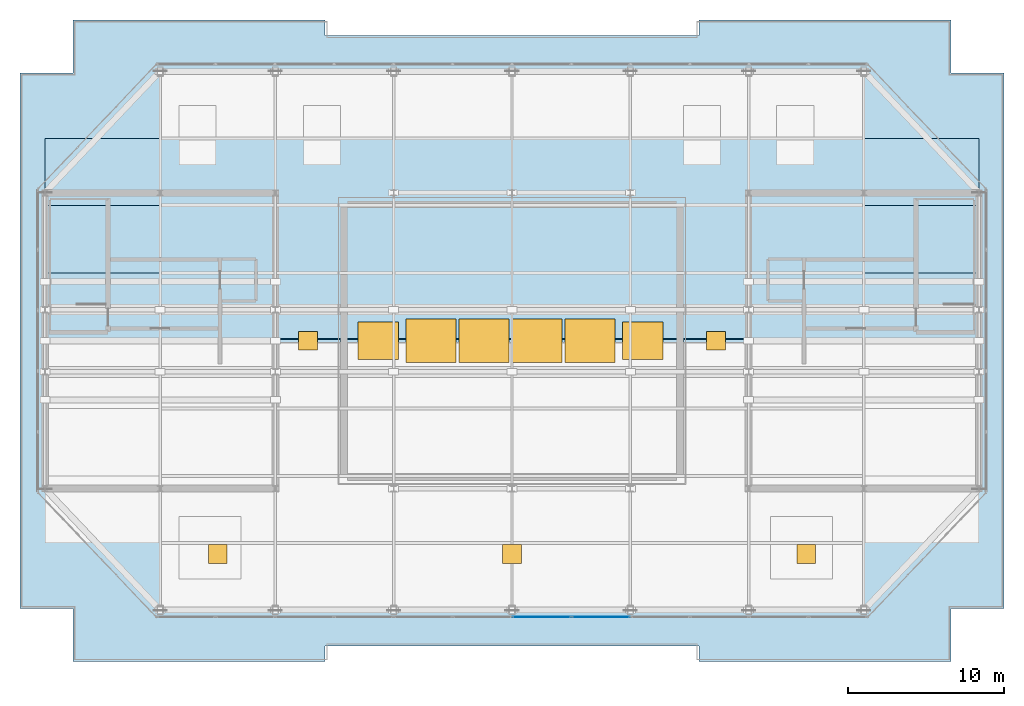
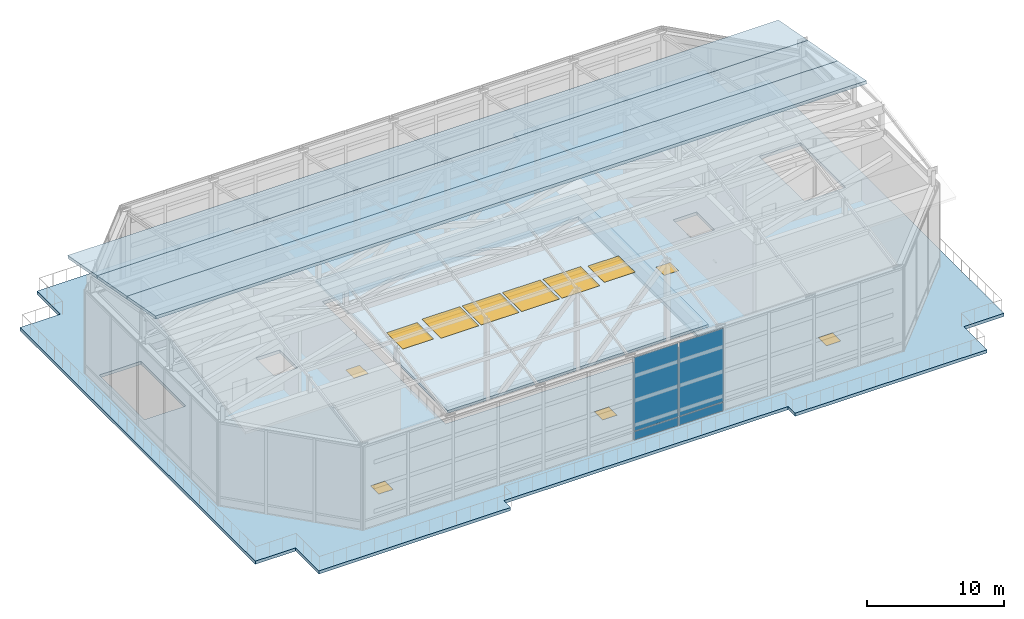
# One storey, part 21 of 25: 6 windows, 5 doors, 5 slabs, 4 plates, 11 openings, 1 element without a shape of its own.
"""IFC4 building model written with IfcOpenShell, lengths in metres."""

from ifc_helpers import new_model, si_unit, direction, frame, origin, origin_2d, place, context, subcontext, project, spatial, polyline, rectangle, outline, extrude, source, transform, mapped, material, layer, layer_set, type_object, type_shapes, element, fill, aggregate, save


model = new_model("IFC4")

# Units and contexts
model_context = context("Model", 3, precision=1e-05, world=origin(), true_north=direction((0.0, 1.0)))
body_context = subcontext(model_context, "Body", "Model", "MODEL_VIEW")
ifc_project = project(units=[si_unit("LENGTHUNIT", "METRE"), si_unit("AREAUNIT", "SQUARE_METRE"), si_unit("VOLUMEUNIT", "CUBIC_METRE"), si_unit("PLANEANGLEUNIT", "RADIAN"), si_unit("MASSUNIT", "GRAM", prefix="KILO")], contexts=[model_context])

# Site, building, storey
site_placement = place(None, origin())
site = spatial("IfcSite", under=ifc_project, at=site_placement, CompositionType="ELEMENT")
building_placement = place(site_placement, origin())
building = spatial("IfcBuilding", under=site, at=building_placement, Name="Haelvirn Gate Laboratories", CompositionType="ELEMENT")
storey_placement = place(building_placement, frame((0.0, 0.0, 337.800048828125)))
storey = spatial("IfcBuildingStorey", under=building, at=storey_placement, Name="RF", CompositionType="ELEMENT", Elevation=337.800048828125)

# Slab, openings, doors
ifc_material_1 = material(Name="Concrete C40/50", Category="concrete")
ifc_layer_1 = layer(ifc_material_1, 0.280029296875, Name="SL-CRN-280")
ifc_layer_set_1 = layer_set([ifc_layer_1], Name="Concrete C40/50")
slab_type_1 = type_object("IfcSlabType", Name="SL-CRN-280", PredefinedType="FLOOR", material=ifc_layer_set_1)
slab_1_placement = place(storey_placement, frame((0.0, 0.0, -0.280029296875)))
slab_1 = element("IfcSlab", 1, at=slab_1_placement, inside=storey, type_object=slab_type_1, Name="RF Crown Maintenance Floor Slab", PredefinedType="FLOOR", context=body_context, shape_type="SweptSolid", body=[
    extrude(outline(polyline([(9.199951171875, 3.699951171875), (25.39990234375, 3.699951171875), (25.39990234375, 4.699951171875), (49.39990234375, 4.699951171875), (49.39990234375, 3.699951171875), (65.60009765625, 3.699951171875), (65.60009765625, 7.10009765625), (69.0, 7.10009765625), (69.0, 41.5), (65.60009765625, 41.5), (65.60009765625, 44.89990234375), (49.39990234375, 44.89990234375), (49.39990234375, 43.89990234375), (25.39990234375, 43.89990234375), (25.39990234375, 44.89990234375), (9.199951171875, 44.89990234375), (9.199951171875, 41.5), (5.800048828125, 41.5), (5.800048828125, 7.10009765625), (9.199951171875, 7.10009765625), (9.199951171875, 3.699951171875)]), holes=[polyline([(26.60009765625, 15.300048828125), (48.199951171875, 15.300048828125), (48.199951171875, 33.300048828125), (26.60009765625, 33.300048828125), (26.60009765625, 15.300048828125)]), polyline([(11.300048828125, 26.780029296875), (11.300048828125, 33.35009765625), (7.800048828125, 33.35009765625), (7.800048828125, 26.780029296875), (11.300048828125, 26.780029296875)]), polyline([(67.0, 26.780029296875), (67.0, 33.35009765625), (63.5, 33.35009765625), (63.5, 26.780029296875), (67.0, 26.780029296875)]), polyline([(18.7900390625, 26.889892578125), (20.81005859375, 26.889892578125), (20.81005859375, 29.510009765625), (18.7900390625, 29.510009765625), (18.7900390625, 26.889892578125)]), polyline([(53.989990234375, 26.889892578125), (56.010009765625, 26.889892578125), (56.010009765625, 29.510009765625), (53.989990234375, 29.510009765625), (53.989990234375, 26.889892578125)])]), origin(), (0.0, 0.0, 1.0), 0.280029296875),
])
opening_1_placement = place(slab_1_placement, frame((18.5, 10.60009765625, -0.010009765625)))
opening_1 = element("IfcOpeningElement", 2, at=opening_1_placement, cuts=slab_1, Name="Opening RH1", PredefinedType="OPENING", context=body_context, shape_type="SweptSolid", body=[
    extrude(rectangle(XDim=1.199951171875, YDim=1.199951171875, at=origin_2d()), origin(), (0.0, 0.0, 1.0), 0.300048828125),
])
opening_2_placement = place(slab_1_placement, frame((37.39990234375, 10.60009765625, -0.010009765625)))
opening_2 = element("IfcOpeningElement", 3, at=opening_2_placement, cuts=slab_1, Name="Opening RH1", PredefinedType="OPENING", context=body_context, shape_type="SweptSolid", body=[
    extrude(rectangle(XDim=1.199951171875, YDim=1.199951171875, at=origin_2d()), origin(), (0.0, 0.0, 1.0), 0.300048828125),
])
opening_3_placement = place(slab_1_placement, frame((56.300048828125, 10.60009765625, -0.010009765625)))
opening_3 = element("IfcOpeningElement", 4, at=opening_3_placement, cuts=slab_1, Name="Opening RH1", PredefinedType="OPENING", context=body_context, shape_type="SweptSolid", body=[
    extrude(rectangle(XDim=1.199951171875, YDim=1.199951171875, at=origin_2d()), origin(), (0.0, 0.0, 1.0), 0.300048828125),
])
opening_4_placement = place(slab_1_placement, frame((24.300048828125, 24.300048828125, -0.010009765625)))
opening_4 = element("IfcOpeningElement", 5, at=opening_4_placement, cuts=slab_1, Name="Opening RH1", PredefinedType="OPENING", context=body_context, shape_type="SweptSolid", body=[
    extrude(rectangle(XDim=1.199951171875, YDim=1.199951171875, at=origin_2d()), origin(), (0.0, 0.0, 1.0), 0.300048828125),
])
opening_5_placement = place(slab_1_placement, frame((50.5, 24.300048828125, -0.010009765625)))
opening_5 = element("IfcOpeningElement", 6, at=opening_5_placement, cuts=slab_1, Name="Opening RH1", PredefinedType="OPENING", context=body_context, shape_type="SweptSolid", body=[
    extrude(rectangle(XDim=1.199951171875, YDim=1.199951171875, at=origin_2d()), origin(), (0.0, 0.0, 1.0), 0.300048828125),
])
ifc_material_2 = material(Name="Insulated weatherproof aluminium roof access hatch", Category="aluminium")
door_type = type_object("IfcDoorType", Name="DR-HATCH-1200", OperationType="NOTDEFINED", PredefinedType="TRAPDOOR", material=ifc_material_2)
door_1_placement = place(slab_1_placement, frame((18.5, 10.60009765625, 0.22998046875)))
door_1 = element("IfcDoor", 7, at=door_1_placement, inside=storey, type_object=door_type, Name="RF Crown Maintenance Access Hatch 01", OperationType="SINGLE_SWING_LEFT", OverallHeight=1.199951171875, OverallWidth=1.199951171875, PredefinedType="TRAPDOOR", context=body_context, shape_type="SweptSolid", body=[
    extrude(rectangle(XDim=1.199951171875, YDim=1.199951171875, at=origin_2d()), origin(), (0.0, 0.0, 1.0), 0.050048828125),
])
fill(opening_1, door_1)
door_2_placement = place(slab_1_placement, frame((37.39990234375, 10.60009765625, 0.22998046875)))
door_2 = element("IfcDoor", 8, at=door_2_placement, inside=storey, type_object=door_type, Name="RF Crown Maintenance Access Hatch 02", OperationType="SINGLE_SWING_LEFT", OverallHeight=1.199951171875, OverallWidth=1.199951171875, PredefinedType="TRAPDOOR", context=body_context, shape_type="SweptSolid", body=[
    extrude(rectangle(XDim=1.199951171875, YDim=1.199951171875, at=origin_2d()), origin(), (0.0, 0.0, 1.0), 0.050048828125),
])
fill(opening_2, door_2)
door_3_placement = place(slab_1_placement, frame((56.300048828125, 10.60009765625, 0.22998046875)))
door_3 = element("IfcDoor", 9, at=door_3_placement, inside=storey, type_object=door_type, Name="RF Crown Maintenance Access Hatch 03", OperationType="SINGLE_SWING_LEFT", OverallHeight=1.199951171875, OverallWidth=1.199951171875, PredefinedType="TRAPDOOR", context=body_context, shape_type="SweptSolid", body=[
    extrude(rectangle(XDim=1.199951171875, YDim=1.199951171875, at=origin_2d()), origin(), (0.0, 0.0, 1.0), 0.050048828125),
])
fill(opening_3, door_3)
door_4_placement = place(slab_1_placement, frame((24.300048828125, 24.300048828125, 0.22998046875)))
door_4 = element("IfcDoor", 10, at=door_4_placement, inside=storey, type_object=door_type, Name="RF Crown Maintenance Access Hatch 04", OperationType="SINGLE_SWING_LEFT", OverallHeight=1.199951171875, OverallWidth=1.199951171875, PredefinedType="TRAPDOOR", context=body_context, shape_type="SweptSolid", body=[
    extrude(rectangle(XDim=1.199951171875, YDim=1.199951171875, at=origin_2d()), origin(), (0.0, 0.0, 1.0), 0.050048828125),
])
fill(opening_4, door_4)
door_5_placement = place(slab_1_placement, frame((50.5, 24.300048828125, 0.22998046875)))
door_5 = element("IfcDoor", 11, at=door_5_placement, inside=storey, type_object=door_type, Name="RF Crown Maintenance Access Hatch 05", OperationType="SINGLE_SWING_LEFT", OverallHeight=1.199951171875, OverallWidth=1.199951171875, PredefinedType="TRAPDOOR", context=body_context, shape_type="SweptSolid", body=[
    extrude(rectangle(XDim=1.199951171875, YDim=1.199951171875, at=origin_2d()), origin(), (0.0, 0.0, 1.0), 0.050048828125),
])
fill(opening_5, door_5)

# Slabs
ifc_layer_2 = layer(ifc_material_1, 0.260009765625, Name="SL-ROOF-260")
ifc_layer_set_2 = layer_set([ifc_layer_2], Name="Concrete C40/50")
slab_type_2 = type_object("IfcSlabType", Name="SL-ROOF-260", PredefinedType="ROOF", material=ifc_layer_set_2)
slab_2_placement = place(storey_placement, frame((67.39990234375, 37.300048828125, 8.419921875), z_axis=(0.0, 0.182916698884, 0.983128415452), x_axis=(-1.0, 0.0, 0.0)))
element("IfcSlab", 12, at=slab_2_placement, inside=storey, type_object=slab_type_2, Name="RF Vaulted Ring-Crown Roof Slab North Strip 2", PredefinedType="ROOF", context=body_context, shape_type="SweptSolid", body=[
    extrude(outline(polyline([(0.0, 0.0), (60.0, 0.0), (60.0, 4.373779296875), (0.0, 4.373779296875), (0.0, 0.0)])), origin(), (0.0, 0.0, -1.0), 0.260009765625),
])
slab_3_placement = place(storey_placement, frame((67.39990234375, 33.0, 9.219970703125), z_axis=(0.0, 0.180881444701, 0.983504907442), x_axis=(-1.0, 0.0, 0.0)))
element("IfcSlab", 13, at=slab_3_placement, inside=storey, type_object=slab_type_2, Name="RF Vaulted Ring-Crown Roof Slab North Strip 3", PredefinedType="ROOF", context=body_context, shape_type="SweptSolid", body=[
    extrude(outline(polyline([(0.0, 0.0), (60.0, 0.0), (60.0, 4.423095703125), (0.0, 4.423095703125), (0.0, 0.0)])), origin(), (0.0, 0.0, -1.0), 0.260009765625),
])
slab_4_placement = place(storey_placement, frame((67.39990234375, 28.64990234375, 10.02001953125), z_axis=(0.0, 0.182181142879, 0.98326498523), x_axis=(-1.0, 0.0, 0.0)))
element("IfcSlab", 14, at=slab_4_placement, inside=storey, type_object=slab_type_2, Name="RF Vaulted Ring-Crown Roof Slab North Strip 4", PredefinedType="ROOF", context=body_context, shape_type="SweptSolid", body=[
    extrude(outline(polyline([(0.0, 0.0), (60.0, 0.0), (60.0, 4.281494140625), (0.0, 4.281494140625), (0.0, 0.0)])), origin(), (0.0, 0.0, -1.0), 0.260009765625),
])

# Slab, openings, windows
ifc_layer_3 = layer(ifc_material_1, 0.239990234375, Name="SL-SKYL-240")
ifc_layer_set_3 = layer_set([ifc_layer_3], Name="Concrete C40/50")
slab_type_3 = type_object("IfcSlabType", Name="SL-SKYL-240", PredefinedType="ROOF", material=ifc_layer_set_3)
slab_5_placement = place(storey_placement, frame((0.0, 0.0, 1.39990234375)))
slab_5 = element("IfcSlab", 15, at=slab_5_placement, inside=storey, type_object=slab_type_3, Name="RF Atrium Monitor Skylight & Access Curb Deck", PredefinedType="ROOF", context=body_context, shape_type="SweptSolid", body=[
    extrude(outline(polyline([(26.3798828125, 14.64990234375), (48.419921875, 14.64990234375), (48.419921875, 33.949951171875), (26.3798828125, 33.949951171875), (26.3798828125, 14.64990234375)])), origin(), (0.0, 0.0, 1.0), 0.239990234375),
])
opening_6_placement = place(slab_5_placement, frame((28.800048828125, 24.300048828125, -0.010009765625)))
opening_6 = element("IfcOpeningElement", 16, at=opening_6_placement, cuts=slab_5, Name="Opening SK2", PredefinedType="OPENING", context=body_context, shape_type="SweptSolid", body=[
    extrude(rectangle(XDim=2.60009765625, YDim=2.39990234375, at=origin_2d()), origin(), (0.0, 0.0, 1.0), 0.260009765625),
])
opening_7_placement = place(slab_5_placement, frame((32.199951171875, 24.300048828125, -0.010009765625)))
opening_7 = element("IfcOpeningElement", 17, at=opening_7_placement, cuts=slab_5, Name="Opening SK1", PredefinedType="OPENING", context=body_context, shape_type="SweptSolid", body=[
    extrude(rectangle(XDim=3.199951171875, YDim=2.800048828125, at=origin_2d()), origin(), (0.0, 0.0, 1.0), 0.260009765625),
])
opening_8_placement = place(slab_5_placement, frame((35.60009765625, 24.300048828125, -0.010009765625)))
opening_8 = element("IfcOpeningElement", 18, at=opening_8_placement, cuts=slab_5, Name="Opening SK1", PredefinedType="OPENING", context=body_context, shape_type="SweptSolid", body=[
    extrude(rectangle(XDim=3.199951171875, YDim=2.800048828125, at=origin_2d()), origin(), (0.0, 0.0, 1.0), 0.260009765625),
])
opening_9_placement = place(slab_5_placement, frame((39.0, 24.300048828125, -0.010009765625)))
opening_9 = element("IfcOpeningElement", 19, at=opening_9_placement, cuts=slab_5, Name="Opening SK1", PredefinedType="OPENING", context=body_context, shape_type="SweptSolid", body=[
    extrude(rectangle(XDim=3.199951171875, YDim=2.800048828125, at=origin_2d()), origin(), (0.0, 0.0, 1.0), 0.260009765625),
])
opening_10_placement = place(slab_5_placement, frame((42.39990234375, 24.300048828125, -0.010009765625)))
opening_10 = element("IfcOpeningElement", 20, at=opening_10_placement, cuts=slab_5, Name="Opening SK1", PredefinedType="OPENING", context=body_context, shape_type="SweptSolid", body=[
    extrude(rectangle(XDim=3.199951171875, YDim=2.800048828125, at=origin_2d()), origin(), (0.0, 0.0, 1.0), 0.260009765625),
])
opening_11_placement = place(slab_5_placement, frame((45.800048828125, 24.300048828125, -0.010009765625)))
opening_11 = element("IfcOpeningElement", 21, at=opening_11_placement, cuts=slab_5, Name="Opening SK2", PredefinedType="OPENING", context=body_context, shape_type="SweptSolid", body=[
    extrude(rectangle(XDim=2.60009765625, YDim=2.39990234375, at=origin_2d()), origin(), (0.0, 0.0, 1.0), 0.260009765625),
])
ifc_material_3 = material(Name="Laminated solar-control borosilicate atrium skylight", Category="glass")
window_type_1 = type_object("IfcWindowType", Name="SKYL-ATR-2600", PartitioningType="SINGLE_PANEL", PredefinedType="SKYLIGHT", material=ifc_material_3)
window_1_placement = place(slab_5_placement, frame((28.800048828125, 24.300048828125, 0.18994140625)))
window_1 = element("IfcWindow", 22, at=window_1_placement, inside=storey, type_object=window_type_1, Name="RF Atrium Crown Skylight 01", OverallHeight=2.39990234375, OverallWidth=2.60009765625, PartitioningType="SINGLE_PANEL", PredefinedType="SKYLIGHT", context=body_context, shape_type="SweptSolid", body=[
    extrude(rectangle(XDim=2.60009765625, YDim=2.39990234375, at=origin_2d()), origin(), (0.0, 0.0, 1.0), 0.050048828125),
])
fill(opening_6, window_1)
window_2_placement = place(slab_5_placement, frame((45.800048828125, 24.300048828125, 0.18994140625)))
window_2 = element("IfcWindow", 23, at=window_2_placement, inside=storey, type_object=window_type_1, Name="RF Atrium Crown Skylight 06", OverallHeight=2.39990234375, OverallWidth=2.60009765625, PartitioningType="SINGLE_PANEL", PredefinedType="SKYLIGHT", context=body_context, shape_type="SweptSolid", body=[
    extrude(rectangle(XDim=2.60009765625, YDim=2.39990234375, at=origin_2d()), origin(), (0.0, 0.0, 1.0), 0.050048828125),
])
fill(opening_11, window_2)
window_type_2 = type_object("IfcWindowType", Name="SKYL-ATR-3200", PartitioningType="SINGLE_PANEL", PredefinedType="SKYLIGHT", material=ifc_material_3)
window_3_placement = place(slab_5_placement, frame((32.199951171875, 24.300048828125, 0.18994140625)))
window_3 = element("IfcWindow", 24, at=window_3_placement, inside=storey, type_object=window_type_2, Name="RF Atrium Crown Skylight 02", OverallHeight=2.800048828125, OverallWidth=3.199951171875, PartitioningType="SINGLE_PANEL", PredefinedType="SKYLIGHT", context=body_context, shape_type="SweptSolid", body=[
    extrude(rectangle(XDim=3.199951171875, YDim=2.800048828125, at=origin_2d()), origin(), (0.0, 0.0, 1.0), 0.050048828125),
])
fill(opening_7, window_3)
window_4_placement = place(slab_5_placement, frame((35.60009765625, 24.300048828125, 0.18994140625)))
window_4 = element("IfcWindow", 25, at=window_4_placement, inside=storey, type_object=window_type_2, Name="RF Atrium Crown Skylight 03", OverallHeight=2.800048828125, OverallWidth=3.199951171875, PartitioningType="SINGLE_PANEL", PredefinedType="SKYLIGHT", context=body_context, shape_type="SweptSolid", body=[
    extrude(rectangle(XDim=3.199951171875, YDim=2.800048828125, at=origin_2d()), origin(), (0.0, 0.0, 1.0), 0.050048828125),
])
fill(opening_8, window_4)
window_5_placement = place(slab_5_placement, frame((39.0, 24.300048828125, 0.18994140625)))
window_5 = element("IfcWindow", 26, at=window_5_placement, inside=storey, type_object=window_type_2, Name="RF Atrium Crown Skylight 04", OverallHeight=2.800048828125, OverallWidth=3.199951171875, PartitioningType="SINGLE_PANEL", PredefinedType="SKYLIGHT", context=body_context, shape_type="SweptSolid", body=[
    extrude(rectangle(XDim=3.199951171875, YDim=2.800048828125, at=origin_2d()), origin(), (0.0, 0.0, 1.0), 0.050048828125),
])
fill(opening_9, window_5)
window_6_placement = place(slab_5_placement, frame((42.39990234375, 24.300048828125, 0.18994140625)))
window_6 = element("IfcWindow", 27, at=window_6_placement, inside=storey, type_object=window_type_2, Name="RF Atrium Crown Skylight 05", OverallHeight=2.800048828125, OverallWidth=3.199951171875, PartitioningType="SINGLE_PANEL", PredefinedType="SKYLIGHT", context=body_context, shape_type="SweptSolid", body=[
    extrude(rectangle(XDim=3.199951171875, YDim=2.800048828125, at=origin_2d()), origin(), (0.0, 0.0, 1.0), 0.050048828125),
])
fill(opening_10, window_6)

# Curtain wall, plates
ifc_material_4 = material(Name="Anodised bronze unitised aluminium & triple low-E glass", Category="aluminium")
ifc_layer_4 = layer(ifc_material_4, 0.19189453125, Name="CW-SYS-6")
ifc_layer_set_4 = layer_set([ifc_layer_4], Name="Anodised bronze unitised aluminium & triple low-E glass")
curtain_wall_type = type_object("IfcCurtainWallType", Name="CW-SYS-6", PredefinedType="NOTDEFINED", material=ifc_layer_set_4)
curtain_wall_placement = place(storey_placement, origin())
curtain_wall = element("IfcCurtainWall", 28, at=curtain_wall_placement, inside=storey, type_object=curtain_wall_type, Name="RF Unitised Curtain Wall CW-RF-RING-00", PredefinedType="NOTDEFINED")
ifc_material_5 = material(Name="Ceramic-fritted bronze acoustic crown glazing 52 mm", Category="glass")
ifc_layer_5 = layer(ifc_material_5, 0.052001953125, Name="CWP-FRT-52")
ifc_layer_set_5 = layer_set([ifc_layer_5], Name="Ceramic-fritted bronze acoustic crown glazing 52 mm")
plate_type = type_object("IfcPlateType", Name="CWP-FRT-52", PredefinedType="CURTAIN_PANEL", material=ifc_layer_set_5)
shared_shape_1 = source(origin(), body_context, "Body", "SweptSolid", [
    extrude(rectangle(XDim=3.728271484375, YDim=0.052001953125, at=origin_2d()), origin(), (0.0, 0.0, 1.0), 0.7451171875),
])
plate_1_placement = place(storey_placement, frame((39.30419921875, 6.550048828125, 0.06982421875), z_axis=(0.0, 0.0, 1.0), x_axis=(1.0, 0.0, 0.0)))
plate_1 = element("IfcPlate", 29, at=plate_1_placement, type_object=plate_type, Name="CW6 panel 7.1", PredefinedType="CURTAIN_PANEL", context=body_context, shape_type="MappedRepresentation", body=[
    mapped(shared_shape_1, transform((0.0, 0.0, 0.0), scale=1.0)),
])
plate_2_placement = place(storey_placement, frame((43.112548828125, 6.550048828125, 0.06982421875), z_axis=(0.0, 0.0, 1.0), x_axis=(1.0, 0.0, 0.0)))
plate_2 = element("IfcPlate", 30, at=plate_2_placement, type_object=plate_type, Name="CW6 panel 8.1", PredefinedType="CURTAIN_PANEL", context=body_context, shape_type="MappedRepresentation", body=[
    mapped(shared_shape_1, transform((0.0, 0.0, 0.0), scale=1.0)),
])
shared_shape_2 = source(origin(), body_context, "Body", "SweptSolid", [
    extrude(rectangle(XDim=3.728271484375, YDim=0.052001953125, at=origin_2d()), origin(), (0.0, 0.0, 1.0), 6.544921875),
])
type_shapes(plate_type, [shared_shape_1, shared_shape_2])
plate_3_placement = place(storey_placement, frame((39.30419921875, 6.550048828125, 0.885009765625), z_axis=(0.0, 0.0, 1.0), x_axis=(1.0, 0.0, 0.0)))
plate_3 = element("IfcPlate", 31, at=plate_3_placement, type_object=plate_type, Name="CW6 panel 7.2", PredefinedType="CURTAIN_PANEL", context=body_context, shape_type="MappedRepresentation", body=[
    mapped(shared_shape_2, transform((0.0, 0.0, 0.0), scale=1.0)),
])
plate_4_placement = place(storey_placement, frame((43.112548828125, 6.550048828125, 0.885009765625), z_axis=(0.0, 0.0, 1.0), x_axis=(1.0, 0.0, 0.0)))
plate_4 = element("IfcPlate", 32, at=plate_4_placement, type_object=plate_type, Name="CW6 panel 8.2", PredefinedType="CURTAIN_PANEL", context=body_context, shape_type="MappedRepresentation", body=[
    mapped(shared_shape_2, transform((0.0, 0.0, 0.0), scale=1.0)),
])
aggregate(curtain_wall, [plate_1, plate_3, plate_2, plate_4])

save(model, "model.ifc")
